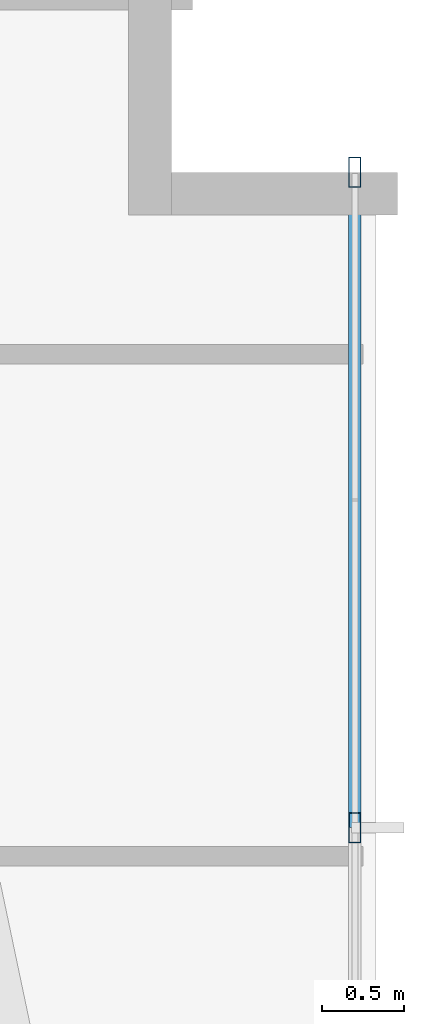
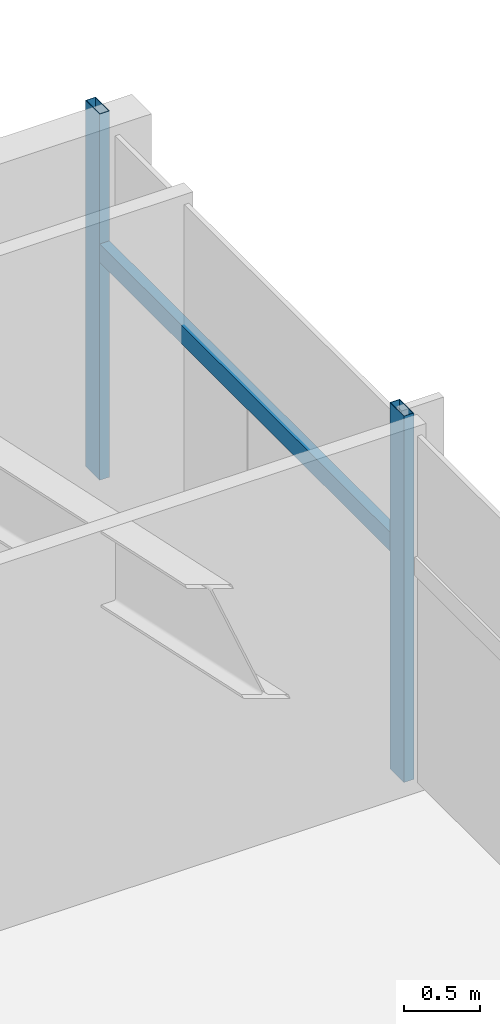
# One storey, part 17 of 25: 3 members, 1 element without a shape of its own.
"""IFC4 building model written with IfcOpenShell, lengths in metres."""

from ifc_helpers import new_model, si_unit, direction, frame, origin, origin_2d, place, context, subcontext, project, spatial, hollow_rectangle, extrude, source, transform, mapped, material, material_profile, profile_set, type_object, type_shapes, element, aggregate, save


model = new_model("IFC4")

# Units and contexts
model_context = context("Model", 3, precision=1e-05, world=origin(), true_north=direction((0.0, 1.0)))
body_context = subcontext(model_context, "Body", "Model", "MODEL_VIEW")
ifc_project = project(units=[si_unit("LENGTHUNIT", "METRE"), si_unit("AREAUNIT", "SQUARE_METRE"), si_unit("VOLUMEUNIT", "CUBIC_METRE"), si_unit("PLANEANGLEUNIT", "RADIAN"), si_unit("MASSUNIT", "GRAM", prefix="KILO")], contexts=[model_context])

# Site, building, storey
site_placement = place(None, origin())
site = spatial("IfcSite", under=ifc_project, at=site_placement, CompositionType="ELEMENT")
building_placement = place(site_placement, origin())
building = spatial("IfcBuilding", under=site, at=building_placement, Name="Astriad Promenade Condominiums", CompositionType="ELEMENT")
storey_placement = place(building_placement, frame((0.0, 0.0, 32.60009765625)))
storey = spatial("IfcBuildingStorey", under=building, at=storey_placement, Name="L08", CompositionType="ELEMENT", Elevation=32.60009765625)

# Curtain wall, members
ifc_material_1 = material(Name="Anodised aluminium Black Dark Glass Unitised", Category="aluminium")
curtain_wall_type = type_object("IfcCurtainWallType", Name="CW-B1-DARK", PredefinedType="USERDEFINED", material=ifc_material_1)
curtain_wall_placement = place(storey_placement, origin())
curtain_wall = element("IfcCurtainWall", 1, at=curtain_wall_placement, inside=storey, type_object=curtain_wall_type, Name="CW-L08-E", ObjectType="UNITISED_CURTAIN_WALL", PredefinedType="USERDEFINED")
ifc_material_2 = material(Name="Anodised aluminium 6063-T6 Black", Category="aluminium")
ifc_material_profile_1 = material_profile(ifc_material_2, hollow_rectangle(XDim=0.074951171875, YDim=0.18505859375, WallThickness=0.00439453125, at=origin_2d()), Name="ALU-MUL-75X185")
ifc_profile_set_1 = profile_set([ifc_material_profile_1], Name="Anodised aluminium 6063-T6 Black")
member_type_1 = type_object("IfcMemberType", Name="MUL-ALU-MUL-75X185", PredefinedType="MULLION", material=ifc_profile_set_1)
shared_shape_1 = source(origin(), body_context, "Body", "SweptSolid", [
    extrude(hollow_rectangle(XDim=0.074951171875, YDim=0.18505859375, WallThickness=0.00439453125, at=origin_2d()), origin(), (0.0, 0.0, 1.0), 2.93994140625),
])
type_shapes(member_type_1, [shared_shape_1])
member_1_placement = place(storey_placement, frame((59.669921875, 25.199951171875, 0.0), z_axis=(0.0, 0.0, 1.0), x_axis=(1.0, 0.0, 0.0)))
member_1 = element("IfcMember", 2, at=member_1_placement, type_object=member_type_1, Name="CW-L08-E-MUL-00", PredefinedType="MULLION", context=body_context, shape_type="MappedRepresentation", body=[
    mapped(shared_shape_1, transform((0.0, 0.0, 0.0), scale=1.0)),
])
member_2_placement = place(storey_placement, frame((59.669921875, 21.199951171875, 0.0), z_axis=(0.0, 0.0, 1.0), x_axis=(1.0, 0.0, 0.0)))
member_2 = element("IfcMember", 3, at=member_2_placement, type_object=member_type_1, Name="CW-L08-E-MUL-01", PredefinedType="MULLION", context=body_context, shape_type="MappedRepresentation", body=[
    mapped(shared_shape_1, transform((0.0, 0.0, 0.0), scale=1.0)),
])
ifc_material_profile_2 = material_profile(ifc_material_2, hollow_rectangle(XDim=0.074951171875, YDim=0.14990234375, WallThickness=0.004150390625, at=origin_2d()), Name="ALU-TRN-75X150")
ifc_profile_set_2 = profile_set([ifc_material_profile_2], Name="Anodised aluminium 6063-T6 Black")
member_type_2 = type_object("IfcMemberType", Name="TRN-ALU-TRN-75X150", PredefinedType="USERDEFINED", material=ifc_profile_set_2)
shared_shape_2 = source(origin(), body_context, "Body", "SweptSolid", [
    extrude(hollow_rectangle(XDim=0.074951171875, YDim=0.14990234375, WallThickness=0.004150390625, at=origin_2d()), origin(), (0.0, 0.0, 1.0), 4.0),
])
type_shapes(member_type_2, [shared_shape_2])
member_3_placement = place(storey_placement, frame((59.669921875, 25.199951171875, 1.82275390625), z_axis=(0.0, -1.0, 0.0), x_axis=(1.0, 0.0, 0.0)))
member_3 = element("IfcMember", 4, at=member_3_placement, type_object=member_type_2, Name="CW-L08-E-TRN-00-0", ObjectType="TRANSOM", PredefinedType="USERDEFINED", context=body_context, shape_type="MappedRepresentation", body=[
    mapped(shared_shape_2, transform((0.0, 0.0, 0.0), scale=1.0)),
])
aggregate(curtain_wall, [member_1, member_2, member_3])

save(model, "model.ifc")
